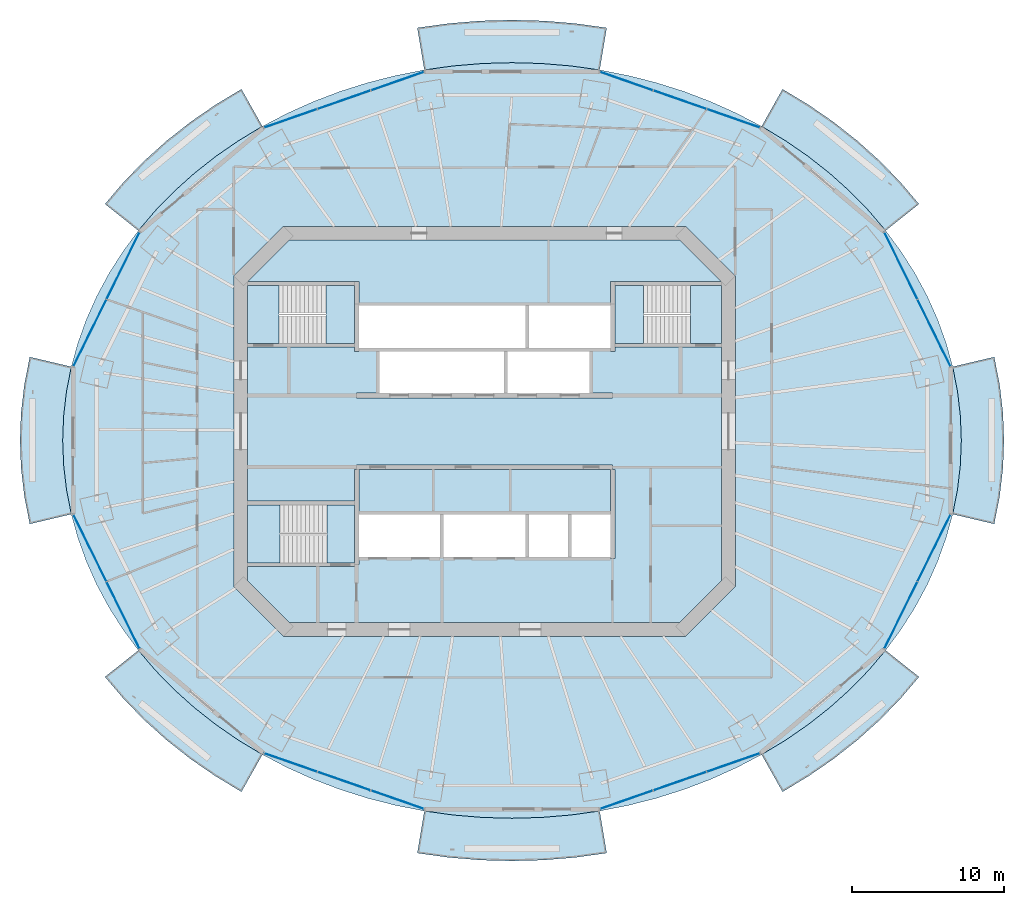
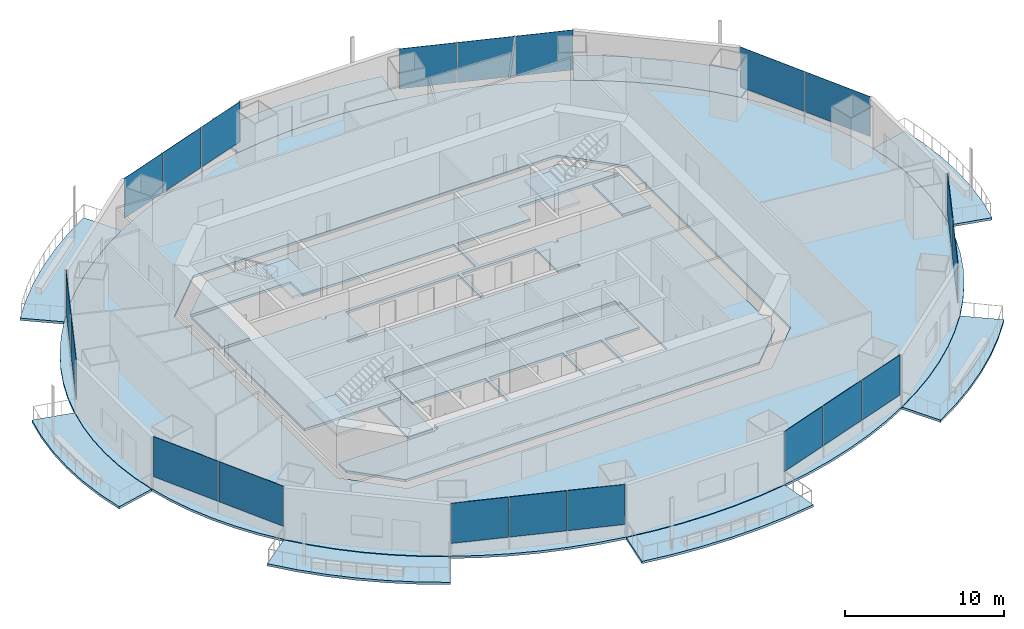
# One storey, part 9 of 18: 20 plates, 16 slabs, 11 elements without a shape of their own.
"""IFC4 building model written with IfcOpenShell, lengths in metres."""

from ifc_helpers import new_model, si_unit, direction, frame, origin, origin_2d, place, context, subcontext, project, spatial, polyline, rectangle, outline, extrude, material, layer, layer_set, type_object, element, aggregate, save


model = new_model("IFC4")

# Units and contexts
model_context = context("Model", 3, precision=1e-05, world=origin(), true_north=direction((0.0, 1.0)))
body_context = subcontext(model_context, "Body", "Model", "MODEL_VIEW")
ifc_project = project(units=[si_unit("LENGTHUNIT", "METRE"), si_unit("AREAUNIT", "SQUARE_METRE"), si_unit("VOLUMEUNIT", "CUBIC_METRE"), si_unit("PLANEANGLEUNIT", "RADIAN"), si_unit("MASSUNIT", "GRAM", prefix="KILO")], contexts=[model_context])

# Site, building, storey
site_placement = place(None, origin())
site = spatial("IfcSite", under=ifc_project, at=site_placement, CompositionType="ELEMENT")
building_placement = place(site_placement, origin())
building = spatial("IfcBuilding", under=site, at=building_placement, Name="Marenthal Gate Tower", CompositionType="ELEMENT")
storey_placement = place(building_placement, frame((0.0, 0.0, 264.800048828125)))
storey = spatial("IfcBuildingStorey", under=building, at=storey_placement, Name="L59", CompositionType="ELEMENT", Elevation=264.800048828125)

# Slabs
ifc_material_1 = material(Name="Concrete 40 MPa", Category="concrete")
ifc_layer_1 = layer(ifc_material_1, 0.179931640625)
ifc_layer_set_1 = layer_set([ifc_layer_1], Name="Balcony deck 180")
slab_type_1 = type_object("IfcSlabType", Name="Balcony deck 180", PredefinedType="USERDEFINED", material=ifc_layer_set_1)
slab_1_placement = place(storey_placement, frame((0.0, 0.0, -0.219970703125)))
element("IfcSlab", 1, at=slab_1_placement, inside=storey, type_object=slab_type_1, Name="Balcony deck L59 bay 2", ObjectType="BALCONY", PredefinedType="USERDEFINED", context=body_context, shape_type="SweptSolid", body=[
    extrude(outline(polyline([(26.3125, 13.17138671875), (25.188720703125, 14.489990234375), (23.965087890625, 15.743896484375), (22.646240234375, 16.927734375), (21.23828125, 18.03662109375), (19.746826171875, 19.065673828125), (18.1787109375, 20.010498046875), (19.55029296875, 22.45166015625), (21.264892578125, 21.41845703125), (22.89990234375, 20.290283203125), (24.4482421875, 19.07080078125), (25.90283203125, 17.76513671875), (27.257080078125, 16.37744140625), (28.504638671875, 14.91357421875), (26.3125, 13.17138671875)])), origin(), (0.0, 0.0, 1.0), 0.179931640625),
])
slab_2_placement = place(storey_placement, frame((0.0, 0.0, -0.219970703125)))
element("IfcSlab", 2, at=slab_2_placement, inside=storey, type_object=slab_type_1, Name="Balcony deck L59 bay 4", ObjectType="BALCONY", PredefinedType="USERDEFINED", context=body_context, shape_type="SweptSolid", body=[
    extrude(outline(polyline([(7.551513671875, 23.711669921875), (5.64794921875, 23.975830078125), (3.72802734375, 24.135009765625), (1.800048828125, 24.18798828125), (-0.128173828125, 24.135009765625), (-2.048095703125, 23.975830078125), (-3.951416015625, 23.711669921875), (-4.413330078125, 26.473388671875), (-2.35595703125, 26.7587890625), (-0.2822265625, 26.9306640625), (1.800048828125, 26.988037109375), (3.882080078125, 26.9306640625), (5.9560546875, 26.7587890625), (8.013427734375, 26.473388671875), (7.551513671875, 23.711669921875)])), origin(), (0.0, 0.0, 1.0), 0.179931640625),
])
slab_3_placement = place(storey_placement, frame((0.0, 0.0, -0.219970703125)))
element("IfcSlab", 3, at=slab_3_placement, inside=storey, type_object=slab_type_1, Name="Balcony deck L59 bay 6", ObjectType="BALCONY", PredefinedType="USERDEFINED", context=body_context, shape_type="SweptSolid", body=[
    extrude(outline(polyline([(-14.578857421875, 20.010498046875), (-16.14697265625, 19.065673828125), (-17.63818359375, 18.03662109375), (-19.046142578125, 16.927734375), (-20.364990234375, 15.743896484375), (-21.5888671875, 14.489990234375), (-22.712646484375, 13.17138671875), (-24.90478515625, 14.91357421875), (-23.656982421875, 16.37744140625), (-22.302734375, 17.76513671875), (-20.84814453125, 19.07080078125), (-19.300048828125, 20.290283203125), (-17.664794921875, 21.41845703125), (-15.9501953125, 22.45166015625), (-14.578857421875, 20.010498046875)])), origin(), (0.0, 0.0, 1.0), 0.179931640625),
])
slab_4_placement = place(storey_placement, frame((0.0, 0.0, -0.219970703125)))
element("IfcSlab", 4, at=slab_4_placement, inside=storey, type_object=slab_type_1, Name="Balcony deck L59 bay 8", ObjectType="BALCONY", PredefinedType="USERDEFINED", context=body_context, shape_type="SweptSolid", body=[
    extrude(outline(polyline([(-27.114501953125, 4.23583984375), (-27.4287109375, 2.635498046875), (-27.617919921875, 1.021240234375), (-27.680908203125, -0.60009765625), (-27.617919921875, -2.22119140625), (-27.4287109375, -3.83544921875), (-27.114501953125, -5.435791015625), (-29.83935546875, -6.08056640625), (-30.195068359375, -4.2685546875), (-30.409423828125, -2.438720703125), (-30.48095703125, -0.60009765625), (-30.409423828125, 1.23876953125), (-30.195068359375, 3.068603515625), (-29.83935546875, 4.880615234375), (-27.114501953125, 4.23583984375)])), origin(), (0.0, 0.0, 1.0), 0.179931640625),
])
slab_5_placement = place(storey_placement, frame((0.0, 0.0, -0.219970703125)))
element("IfcSlab", 5, at=slab_5_placement, inside=storey, type_object=slab_type_1, Name="Balcony deck L59 bay 10", ObjectType="BALCONY", PredefinedType="USERDEFINED", context=body_context, shape_type="SweptSolid", body=[
    extrude(outline(polyline([(-22.712646484375, -14.37158203125), (-21.5888671875, -15.68994140625), (-20.364990234375, -16.94384765625), (-19.046142578125, -18.127685546875), (-17.63818359375, -19.236572265625), (-16.14697265625, -20.265625), (-14.578857421875, -21.21044921875), (-15.9501953125, -23.651611328125), (-17.664794921875, -22.618408203125), (-19.300048828125, -21.490234375), (-20.84814453125, -20.27099609375), (-22.302734375, -18.965087890625), (-23.656982421875, -17.577392578125), (-24.90478515625, -16.113525390625), (-22.712646484375, -14.37158203125)])), origin(), (0.0, 0.0, 1.0), 0.179931640625),
])
slab_6_placement = place(storey_placement, frame((0.0, 0.0, -0.219970703125)))
element("IfcSlab", 6, at=slab_6_placement, inside=storey, type_object=slab_type_1, Name="Balcony deck L59 bay 12", ObjectType="BALCONY", PredefinedType="USERDEFINED", context=body_context, shape_type="SweptSolid", body=[
    extrude(outline(polyline([(-3.951416015625, -24.91162109375), (-2.048095703125, -25.17578125), (-0.128173828125, -25.3349609375), (1.800048828125, -25.387939453125), (3.72802734375, -25.3349609375), (5.64794921875, -25.17578125), (7.551513671875, -24.91162109375), (8.013427734375, -27.67333984375), (5.9560546875, -27.958984375), (3.882080078125, -28.130615234375), (1.800048828125, -28.18798828125), (-0.2822265625, -28.130615234375), (-2.35595703125, -27.958984375), (-4.413330078125, -27.67333984375), (-3.951416015625, -24.91162109375)])), origin(), (0.0, 0.0, 1.0), 0.179931640625),
])
slab_7_placement = place(storey_placement, frame((0.0, 0.0, -0.219970703125)))
element("IfcSlab", 7, at=slab_7_placement, inside=storey, type_object=slab_type_1, Name="Balcony deck L59 bay 14", ObjectType="BALCONY", PredefinedType="USERDEFINED", context=body_context, shape_type="SweptSolid", body=[
    extrude(outline(polyline([(18.1787109375, -21.21044921875), (19.746826171875, -20.265625), (21.23828125, -19.236572265625), (22.646240234375, -18.127685546875), (23.965087890625, -16.94384765625), (25.188720703125, -15.68994140625), (26.3125, -14.37158203125), (28.504638671875, -16.113525390625), (27.257080078125, -17.577392578125), (25.90283203125, -18.965087890625), (24.4482421875, -20.27099609375), (22.89990234375, -21.490234375), (21.264892578125, -22.618408203125), (19.55029296875, -23.651611328125), (18.1787109375, -21.21044921875)])), origin(), (0.0, 0.0, 1.0), 0.179931640625),
])
slab_8_placement = place(storey_placement, frame((0.0, 0.0, -0.219970703125)))
element("IfcSlab", 8, at=slab_8_placement, inside=storey, type_object=slab_type_1, Name="Balcony deck L59 bay 16", ObjectType="BALCONY", PredefinedType="USERDEFINED", context=body_context, shape_type="SweptSolid", body=[
    extrude(outline(polyline([(30.714599609375, -5.435791015625), (31.02880859375, -3.83544921875), (31.218017578125, -2.22119140625), (31.281005859375, -0.60009765625), (31.218017578125, 1.021240234375), (31.02880859375, 2.635498046875), (30.714599609375, 4.23583984375), (33.439208984375, 4.880615234375), (33.795166015625, 3.068603515625), (34.009521484375, 1.23876953125), (34.0810546875, -0.60009765625), (34.009521484375, -2.438720703125), (33.795166015625, -4.2685546875), (33.439208984375, -6.08056640625), (30.714599609375, -5.435791015625)])), origin(), (0.0, 0.0, 1.0), 0.179931640625),
])
ifc_material_2 = material(Name="Concrete 50 MPa", Category="concrete")
ifc_layer_2 = layer(ifc_material_2, 0.179931640625)
ifc_layer_set_2 = layer_set([ifc_layer_2], Name="Core floor slab 180")
slab_type_2 = type_object("IfcSlabType", Name="Core floor slab 180", PredefinedType="FLOOR", material=ifc_layer_set_2)
slab_9_placement = place(storey_placement, frame((0.0, 0.0, -0.179931640625)))
element("IfcSlab", 9, at=slab_9_placement, inside=storey, type_object=slab_type_2, Name="Core floor L59", PredefinedType="FLOOR", context=body_context, shape_type="SweptSolid", body=[
    extrude(outline(polyline([(12.813720703125, -12.550048828125), (-12.813720703125, -12.550048828125), (-15.550048828125, -9.813720703125), (-15.550048828125, -8.875), (-8.550048828125, -8.875), (-8.550048828125, -8.75), (-8.25, -8.75), (-8.25, -8.239990234375), (-5.60009765625, -8.239990234375), (-2.909912109375, -8.239990234375), (-2.909912109375, -5.4599609375), (-5.60009765625, -5.4599609375), (-8.25, -5.4599609375), (-8.25, -2.5), (8.25, -2.5), (8.25, -5.4599609375), (5.7099609375, -5.4599609375), (5.7099609375, -8.239990234375), (8.25, -8.239990234375), (8.25, -8.35009765625), (8.550048828125, -8.35009765625), (8.550048828125, -2.5), (8.39990234375, -2.5), (8.39990234375, -2.199951171875), (-8.39990234375, -2.199951171875), (-8.39990234375, -2.5), (-8.550048828125, -2.5), (-8.550048828125, -4.574951171875), (-15.550048828125, -4.574951171875), (-15.550048828125, 5.52490234375), (-8.550048828125, 5.52490234375), (-8.550048828125, 5.239990234375), (-8.25, 5.239990234375), (-8.25, 5.4599609375), (-5.60009765625, 5.4599609375), (-2.800048828125, 5.4599609375), (0.0, 5.4599609375), (2.68994140625, 5.4599609375), (2.68994140625, 8.239990234375), (0.0, 8.239990234375), (-2.800048828125, 8.239990234375), (-5.60009765625, 8.239990234375), (-8.25, 8.239990234375), (-8.25, 8.35009765625), (-8.25, 9.824951171875), (-8.550048828125, 9.824951171875), (-15.53857421875, 9.824951171875), (-12.813720703125, 12.550048828125), (12.813720703125, 12.550048828125), (15.53857421875, 9.824951171875), (8.550048828125, 9.824951171875), (8.25, 9.824951171875), (8.25, 8.35009765625), (8.25, 8.239990234375), (5.60009765625, 8.239990234375), (2.909912109375, 8.239990234375), (2.909912109375, 5.4599609375), (5.60009765625, 5.4599609375), (8.25, 5.4599609375), (8.25, 5.239990234375), (8.550048828125, 5.239990234375), (8.550048828125, 5.52490234375), (15.550048828125, 5.52490234375), (15.550048828125, -9.813720703125), (12.813720703125, -12.550048828125)]), holes=[polyline([(2.68994140625, -8.239990234375), (2.68994140625, -5.4599609375), (0.0, -5.4599609375), (-2.68994140625, -5.4599609375), (-2.68994140625, -8.239990234375), (0.0, -8.239990234375), (2.68994140625, -8.239990234375)]), polyline([(-6.889892578125, 5.239990234375), (-6.889892578125, 2.5), (-8.39990234375, 2.5), (-8.39990234375, 2.199951171875), (8.39990234375, 2.199951171875), (8.39990234375, 2.5), (6.889892578125, 2.5), (6.889892578125, 5.239990234375), (4.199951171875, 5.239990234375), (1.510009765625, 5.239990234375), (1.510009765625, 2.5), (1.2900390625, 2.5), (1.2900390625, 5.239990234375), (-1.39990234375, 5.239990234375), (-4.199951171875, 5.239990234375), (-6.889892578125, 5.239990234375)]), polyline([(5.489990234375, -5.4599609375), (2.909912109375, -5.4599609375), (2.909912109375, -8.239990234375), (5.489990234375, -8.239990234375), (5.489990234375, -5.4599609375)])]), origin(), (0.0, 0.0, 1.0), 0.179931640625),
])
slab_10_placement = place(storey_placement, frame((0.0, 0.0, -0.179931640625)))
element("IfcSlab", 10, at=slab_10_placement, inside=storey, type_object=slab_type_2, Name="Core floor L59", PredefinedType="FLOOR", context=body_context, shape_type="SweptSolid", body=[
    extrude(outline(polyline([(15.550048828125, 5.77490234375), (13.5, 5.77490234375), (13.5, 9.574951171875), (15.550048828125, 9.574951171875), (15.550048828125, 5.77490234375)])), origin(), (0.0, 0.0, 1.0), 0.179931640625),
])
slab_11_placement = place(storey_placement, frame((0.0, 0.0, -0.179931640625)))
element("IfcSlab", 11, at=slab_11_placement, inside=storey, type_object=slab_type_2, Name="Core floor L59", PredefinedType="FLOOR", context=body_context, shape_type="SweptSolid", body=[
    extrude(outline(polyline([(-15.550048828125, 9.574951171875), (-13.5, 9.574951171875), (-13.5, 5.77490234375), (-15.550048828125, 5.77490234375), (-15.550048828125, 9.574951171875)])), origin(), (0.0, 0.0, 1.0), 0.179931640625),
])
slab_12_placement = place(storey_placement, frame((0.0, 0.0, -0.179931640625)))
element("IfcSlab", 12, at=slab_12_placement, inside=storey, type_object=slab_type_2, Name="Core floor L59", PredefinedType="FLOOR", context=body_context, shape_type="SweptSolid", body=[
    extrude(outline(polyline([(-8.550048828125, -8.625), (-10.35009765625, -8.625), (-10.35009765625, -4.824951171875), (-8.550048828125, -4.824951171875), (-8.550048828125, -8.625)])), origin(), (0.0, 0.0, 1.0), 0.179931640625),
])
ifc_material_3 = material(Name="Concrete 35 MPa", Category="concrete")
ifc_layer_3 = layer(ifc_material_3, 0.179931640625)
ifc_layer_set_3 = layer_set([ifc_layer_3], Name="Floor slab 180")
slab_type_3 = type_object("IfcSlabType", Name="Floor slab 180", PredefinedType="FLOOR", material=ifc_layer_set_3)
slab_13_placement = place(storey_placement, frame((0.0, 0.0, -0.179931640625)))
element("IfcSlab", 13, at=slab_13_placement, inside=storey, type_object=slab_type_3, Name="SL-L59-01", PredefinedType="FLOOR", context=body_context, shape_type="SweptSolid", body=[
    extrude(outline(polyline([(31.281005859375, -0.60009765625), (31.218017578125, 1.021240234375), (31.02880859375, 2.635498046875), (30.714599609375, 4.23583984375), (30.276611328125, 5.815673828125), (29.71630859375, 7.367919921875), (29.036865234375, 8.885986328125), (28.24072265625, 10.363525390625), (27.331298828125, 11.7939453125), (26.3125, 13.17138671875), (25.188720703125, 14.489990234375), (23.965087890625, 15.743896484375), (22.646240234375, 16.927734375), (21.23828125, 18.03662109375), (19.746826171875, 19.065673828125), (18.1787109375, 20.010498046875), (16.54052734375, 20.866943359375), (14.839111328125, 21.631591796875), (13.081787109375, 22.301025390625), (11.2763671875, 22.87255859375), (9.43017578125, 23.343505859375), (7.551513671875, 23.711669921875), (5.64794921875, 23.975830078125), (3.72802734375, 24.135009765625), (1.800048828125, 24.18798828125), (-0.128173828125, 24.135009765625), (-2.048095703125, 23.975830078125), (-3.951416015625, 23.711669921875), (-5.830078125, 23.343505859375), (-7.676513671875, 22.87255859375), (-9.48193359375, 22.301025390625), (-11.239013671875, 21.631591796875), (-12.9404296875, 20.866943359375), (-14.578857421875, 20.010498046875), (-16.14697265625, 19.065673828125), (-17.63818359375, 18.03662109375), (-19.046142578125, 16.927734375), (-20.364990234375, 15.743896484375), (-21.5888671875, 14.489990234375), (-22.712646484375, 13.17138671875), (-23.731201171875, 11.7939453125), (-24.640625, 10.363525390625), (-25.43701171875, 8.885986328125), (-26.116455078125, 7.367919921875), (-26.676513671875, 5.815673828125), (-27.114501953125, 4.23583984375), (-27.4287109375, 2.635498046875), (-27.617919921875, 1.021240234375), (-27.680908203125, -0.60009765625), (-27.617919921875, -2.22119140625), (-27.4287109375, -3.83544921875), (-27.114501953125, -5.435791015625), (-26.676513671875, -7.015625), (-26.116455078125, -8.56787109375), (-25.43701171875, -10.0859375), (-24.640625, -11.5634765625), (-23.731201171875, -12.993896484375), (-22.712646484375, -14.37158203125), (-21.5888671875, -15.68994140625), (-20.364990234375, -16.94384765625), (-19.046142578125, -18.127685546875), (-17.63818359375, -19.236572265625), (-16.14697265625, -20.265625), (-14.578857421875, -21.21044921875), (-12.9404296875, -22.06689453125), (-11.239013671875, -22.831787109375), (-9.48193359375, -23.501220703125), (-7.676513671875, -24.072509765625), (-5.830078125, -24.54345703125), (-3.951416015625, -24.91162109375), (-2.048095703125, -25.17578125), (-0.128173828125, -25.3349609375), (1.800048828125, -25.387939453125), (3.72802734375, -25.3349609375), (5.64794921875, -25.17578125), (7.551513671875, -24.91162109375), (9.43017578125, -24.54345703125), (11.2763671875, -24.072509765625), (13.081787109375, -23.501220703125), (14.839111328125, -22.831787109375), (16.54052734375, -22.06689453125), (18.1787109375, -21.21044921875), (19.746826171875, -20.265625), (21.23828125, -19.236572265625), (22.646240234375, -18.127685546875), (23.965087890625, -16.94384765625), (25.188720703125, -15.68994140625), (26.3125, -14.37158203125), (27.331298828125, -12.993896484375), (28.24072265625, -11.5634765625), (29.036865234375, -10.0859375), (29.71630859375, -8.56787109375), (30.276611328125, -7.015625), (30.714599609375, -5.435791015625), (31.02880859375, -3.83544921875), (31.218017578125, -2.22119140625), (31.281005859375, -0.60009765625)]), holes=[polyline([(13.186279296875, -13.449951171875), (16.449951171875, -10.186279296875), (16.449951171875, 10.186279296875), (13.186279296875, 13.449951171875), (-13.186279296875, 13.449951171875), (-16.449951171875, 10.186279296875), (-16.449951171875, -10.186279296875), (-13.186279296875, -13.449951171875), (13.186279296875, -13.449951171875)])]), origin(), (0.0, 0.0, 1.0), 0.179931640625),
])

# Curtain wall, plates
ifc_material_4 = material(Name="Aluminium and glass", Category="aluminium")
curtain_wall_type = type_object("IfcCurtainWallType", Name="Curtain wall typical mid", PredefinedType="NOTDEFINED", material=ifc_material_4)
curtain_wall_1_placement = place(storey_placement, origin())
curtain_wall_1 = element("IfcCurtainWall", 14, at=curtain_wall_1_placement, inside=storey, type_object=curtain_wall_type, Name="Curtain wall L59 bay 1", PredefinedType="NOTDEFINED")
ifc_material_5 = material(Name="Glass, laminated insulating unit", Category="glass")
ifc_layer_4 = layer(ifc_material_5, 0.030029296875)
ifc_layer_set_4 = layer_set([ifc_layer_4], Name="Glass panel 30 typical mid")
plate_type = type_object("IfcPlateType", Name="Glass panel 30 typical mid", PredefinedType="CURTAIN_PANEL", material=ifc_layer_set_4)
plate_1_placement = place(storey_placement, frame((29.494140625, 6.448974609375, 0.89990234375), z_axis=(0.0, 0.0, 1.0), x_axis=(-0.442191564697, 0.896920632002, 0.0)))
plate_1 = element("IfcPlate", 15, at=plate_1_placement, type_object=plate_type, Name="Glass panel L59 bay 1.1", PredefinedType="CURTAIN_PANEL", context=body_context, shape_type="SweptSolid", body=[
    extrude(rectangle(XDim=4.8671875, YDim=0.030029296875, at=origin_2d()), origin(), (0.0, 0.0, 1.0), 3.070068359375),
])
plate_2_placement = place(storey_placement, frame((27.3154296875, 10.8681640625, 0.89990234375), z_axis=(0.0, 0.0, 1.0), x_axis=(-0.442191564697, 0.896920632002, 0.0)))
plate_2 = element("IfcPlate", 16, at=plate_2_placement, type_object=plate_type, Name="Glass panel L59 bay 1.2", PredefinedType="CURTAIN_PANEL", context=body_context, shape_type="SweptSolid", body=[
    extrude(rectangle(XDim=4.8671875, YDim=0.030029296875, at=origin_2d()), origin(), (0.0, 0.0, 1.0), 3.070068359375),
])
aggregate(curtain_wall_1, [plate_1, plate_2])

curtain_wall_2_placement = place(storey_placement, origin())
curtain_wall_2 = element("IfcCurtainWall", 17, at=curtain_wall_2_placement, inside=storey, type_object=curtain_wall_type, Name="Curtain wall L59 bay 3", PredefinedType="NOTDEFINED")
plate_3_placement = place(storey_placement, frame((16.3291015625, 20.53125, 0.89990234375), z_axis=(0.0, 0.0, 1.0), x_axis=(-0.944444900709, 0.328669787971, 0.0)))
plate_3 = element("IfcPlate", 18, at=plate_3_placement, type_object=plate_type, Name="Glass panel L59 bay 3.1", PredefinedType="CURTAIN_PANEL", context=body_context, shape_type="SweptSolid", body=[
    extrude(rectangle(XDim=3.655517578125, YDim=0.030029296875, at=origin_2d()), origin(), (0.0, 0.0, 1.0), 3.070068359375),
])
plate_4_placement = place(storey_placement, frame((12.820068359375, 21.75244140625, 0.89990234375), z_axis=(0.0, 0.0, 1.0), x_axis=(-0.944444900709, 0.328669787971, 0.0)))
plate_4 = element("IfcPlate", 19, at=plate_4_placement, type_object=plate_type, Name="Glass panel L59 bay 3.2", PredefinedType="CURTAIN_PANEL", context=body_context, shape_type="SweptSolid", body=[
    extrude(rectangle(XDim=3.655517578125, YDim=0.030029296875, at=origin_2d()), origin(), (0.0, 0.0, 1.0), 3.070068359375),
])
plate_5_placement = place(storey_placement, frame((9.310791015625, 22.9736328125, 0.89990234375), z_axis=(0.0, 0.0, 1.0), x_axis=(-0.944444900709, 0.328669787971, 0.0)))
plate_5 = element("IfcPlate", 20, at=plate_5_placement, type_object=plate_type, Name="Glass panel L59 bay 3.3", PredefinedType="CURTAIN_PANEL", context=body_context, shape_type="SweptSolid", body=[
    extrude(rectangle(XDim=3.655517578125, YDim=0.030029296875, at=origin_2d()), origin(), (0.0, 0.0, 1.0), 3.070068359375),
])
aggregate(curtain_wall_2, [plate_3, plate_4, plate_5])

curtain_wall_3_placement = place(storey_placement, origin())
curtain_wall_3 = element("IfcCurtainWall", 21, at=curtain_wall_3_placement, inside=storey, type_object=curtain_wall_type, Name="Curtain wall L59 bay 5", PredefinedType="NOTDEFINED")
plate_6_placement = place(storey_placement, frame((-5.7109375, 22.9736328125, 0.89990234375), z_axis=(0.0, 0.0, 1.0), x_axis=(-0.944444900709, -0.328669787971, 0.0)))
plate_6 = element("IfcPlate", 22, at=plate_6_placement, type_object=plate_type, Name="Glass panel L59 bay 5.1", PredefinedType="CURTAIN_PANEL", context=body_context, shape_type="SweptSolid", body=[
    extrude(rectangle(XDim=3.655517578125, YDim=0.030029296875, at=origin_2d()), origin(), (0.0, 0.0, 1.0), 3.070068359375),
])
plate_7_placement = place(storey_placement, frame((-9.219970703125, 21.75244140625, 0.89990234375), z_axis=(0.0, 0.0, 1.0), x_axis=(-0.944444900709, -0.328669787971, 0.0)))
plate_7 = element("IfcPlate", 23, at=plate_7_placement, type_object=plate_type, Name="Glass panel L59 bay 5.2", PredefinedType="CURTAIN_PANEL", context=body_context, shape_type="SweptSolid", body=[
    extrude(rectangle(XDim=3.655517578125, YDim=0.030029296875, at=origin_2d()), origin(), (0.0, 0.0, 1.0), 3.070068359375),
])
plate_8_placement = place(storey_placement, frame((-12.729248046875, 20.53125, 0.89990234375), z_axis=(0.0, 0.0, 1.0), x_axis=(-0.944444900709, -0.328669787971, 0.0)))
plate_8 = element("IfcPlate", 24, at=plate_8_placement, type_object=plate_type, Name="Glass panel L59 bay 5.3", PredefinedType="CURTAIN_PANEL", context=body_context, shape_type="SweptSolid", body=[
    extrude(rectangle(XDim=3.655517578125, YDim=0.030029296875, at=origin_2d()), origin(), (0.0, 0.0, 1.0), 3.070068359375),
])
aggregate(curtain_wall_3, [plate_6, plate_7, plate_8])

curtain_wall_4_placement = place(storey_placement, origin())
curtain_wall_4 = element("IfcCurtainWall", 25, at=curtain_wall_4_placement, inside=storey, type_object=curtain_wall_type, Name="Curtain wall L59 bay 7", PredefinedType="NOTDEFINED")
plate_9_placement = place(storey_placement, frame((-23.71533203125, 10.8681640625, 0.89990234375), z_axis=(0.0, 0.0, 1.0), x_axis=(-0.442191564697, -0.896920632002, 0.0)))
plate_9 = element("IfcPlate", 26, at=plate_9_placement, type_object=plate_type, Name="Glass panel L59 bay 7.1", PredefinedType="CURTAIN_PANEL", context=body_context, shape_type="SweptSolid", body=[
    extrude(rectangle(XDim=4.8671875, YDim=0.030029296875, at=origin_2d()), origin(), (0.0, 0.0, 1.0), 3.070068359375),
])
plate_10_placement = place(storey_placement, frame((-25.894287109375, 6.448974609375, 0.89990234375), z_axis=(0.0, 0.0, 1.0), x_axis=(-0.442191564697, -0.896920632002, 0.0)))
plate_10 = element("IfcPlate", 27, at=plate_10_placement, type_object=plate_type, Name="Glass panel L59 bay 7.2", PredefinedType="CURTAIN_PANEL", context=body_context, shape_type="SweptSolid", body=[
    extrude(rectangle(XDim=4.8671875, YDim=0.030029296875, at=origin_2d()), origin(), (0.0, 0.0, 1.0), 3.070068359375),
])
aggregate(curtain_wall_4, [plate_9, plate_10])

curtain_wall_5_placement = place(storey_placement, origin())
curtain_wall_5 = element("IfcCurtainWall", 28, at=curtain_wall_5_placement, inside=storey, type_object=curtain_wall_type, Name="Curtain wall L59 bay 9", PredefinedType="NOTDEFINED")
plate_11_placement = place(storey_placement, frame((-25.894287109375, -7.64892578125, 0.89990234375), z_axis=(0.0, 0.0, 1.0), x_axis=(0.442191564697, -0.896920632002, 0.0)))
plate_11 = element("IfcPlate", 29, at=plate_11_placement, type_object=plate_type, Name="Glass panel L59 bay 9.1", PredefinedType="CURTAIN_PANEL", context=body_context, shape_type="SweptSolid", body=[
    extrude(rectangle(XDim=4.8671875, YDim=0.030029296875, at=origin_2d()), origin(), (0.0, 0.0, 1.0), 3.070068359375),
])
plate_12_placement = place(storey_placement, frame((-23.71533203125, -12.068359375, 0.89990234375), z_axis=(0.0, 0.0, 1.0), x_axis=(0.442191564697, -0.896920632002, 0.0)))
plate_12 = element("IfcPlate", 30, at=plate_12_placement, type_object=plate_type, Name="Glass panel L59 bay 9.2", PredefinedType="CURTAIN_PANEL", context=body_context, shape_type="SweptSolid", body=[
    extrude(rectangle(XDim=4.8671875, YDim=0.030029296875, at=origin_2d()), origin(), (0.0, 0.0, 1.0), 3.070068359375),
])
aggregate(curtain_wall_5, [plate_11, plate_12])

curtain_wall_6_placement = place(storey_placement, origin())
curtain_wall_6 = element("IfcCurtainWall", 31, at=curtain_wall_6_placement, inside=storey, type_object=curtain_wall_type, Name="Curtain wall L59 bay 11", PredefinedType="NOTDEFINED")
plate_13_placement = place(storey_placement, frame((-12.729248046875, -21.731201171875, 0.89990234375), z_axis=(0.0, 0.0, 1.0), x_axis=(0.944444900709, -0.328669787971, 0.0)))
plate_13 = element("IfcPlate", 32, at=plate_13_placement, type_object=plate_type, Name="Glass panel L59 bay 11.1", PredefinedType="CURTAIN_PANEL", context=body_context, shape_type="SweptSolid", body=[
    extrude(rectangle(XDim=3.655517578125, YDim=0.030029296875, at=origin_2d()), origin(), (0.0, 0.0, 1.0), 3.070068359375),
])
plate_14_placement = place(storey_placement, frame((-9.219970703125, -22.952392578125, 0.89990234375), z_axis=(0.0, 0.0, 1.0), x_axis=(0.944444900709, -0.328669787971, 0.0)))
plate_14 = element("IfcPlate", 33, at=plate_14_placement, type_object=plate_type, Name="Glass panel L59 bay 11.2", PredefinedType="CURTAIN_PANEL", context=body_context, shape_type="SweptSolid", body=[
    extrude(rectangle(XDim=3.655517578125, YDim=0.030029296875, at=origin_2d()), origin(), (0.0, 0.0, 1.0), 3.070068359375),
])
plate_15_placement = place(storey_placement, frame((-5.7109375, -24.173583984375, 0.89990234375), z_axis=(0.0, 0.0, 1.0), x_axis=(0.944444900709, -0.328669787971, 0.0)))
plate_15 = element("IfcPlate", 34, at=plate_15_placement, type_object=plate_type, Name="Glass panel L59 bay 11.3", PredefinedType="CURTAIN_PANEL", context=body_context, shape_type="SweptSolid", body=[
    extrude(rectangle(XDim=3.655517578125, YDim=0.030029296875, at=origin_2d()), origin(), (0.0, 0.0, 1.0), 3.070068359375),
])
aggregate(curtain_wall_6, [plate_13, plate_14, plate_15])

curtain_wall_7_placement = place(storey_placement, origin())
curtain_wall_7 = element("IfcCurtainWall", 35, at=curtain_wall_7_placement, inside=storey, type_object=curtain_wall_type, Name="Curtain wall L59 bay 13", PredefinedType="NOTDEFINED")
plate_16_placement = place(storey_placement, frame((9.31103515625, -24.173583984375, 0.89990234375), z_axis=(0.0, 0.0, 1.0), x_axis=(0.944444900709, 0.328669787971, 0.0)))
plate_16 = element("IfcPlate", 36, at=plate_16_placement, type_object=plate_type, Name="Glass panel L59 bay 13.1", PredefinedType="CURTAIN_PANEL", context=body_context, shape_type="SweptSolid", body=[
    extrude(rectangle(XDim=3.655517578125, YDim=0.030029296875, at=origin_2d()), origin(), (0.0, 0.0, 1.0), 3.070068359375),
])
plate_17_placement = place(storey_placement, frame((12.820068359375, -22.952392578125, 0.89990234375), z_axis=(0.0, 0.0, 1.0), x_axis=(0.944444900709, 0.328669787971, 0.0)))
plate_17 = element("IfcPlate", 37, at=plate_17_placement, type_object=plate_type, Name="Glass panel L59 bay 13.2", PredefinedType="CURTAIN_PANEL", context=body_context, shape_type="SweptSolid", body=[
    extrude(rectangle(XDim=3.655517578125, YDim=0.030029296875, at=origin_2d()), origin(), (0.0, 0.0, 1.0), 3.070068359375),
])
plate_18_placement = place(storey_placement, frame((16.3291015625, -21.731201171875, 0.89990234375), z_axis=(0.0, 0.0, 1.0), x_axis=(0.944444900709, 0.328669787971, 0.0)))
plate_18 = element("IfcPlate", 38, at=plate_18_placement, type_object=plate_type, Name="Glass panel L59 bay 13.3", PredefinedType="CURTAIN_PANEL", context=body_context, shape_type="SweptSolid", body=[
    extrude(rectangle(XDim=3.655517578125, YDim=0.030029296875, at=origin_2d()), origin(), (0.0, 0.0, 1.0), 3.070068359375),
])
aggregate(curtain_wall_7, [plate_16, plate_17, plate_18])

curtain_wall_8_placement = place(storey_placement, origin())
curtain_wall_8 = element("IfcCurtainWall", 39, at=curtain_wall_8_placement, inside=storey, type_object=curtain_wall_type, Name="Curtain wall L59 bay 15", PredefinedType="NOTDEFINED")
plate_19_placement = place(storey_placement, frame((27.3154296875, -12.068359375, 0.89990234375), z_axis=(0.0, 0.0, 1.0), x_axis=(0.442191564697, 0.896920632002, 0.0)))
plate_19 = element("IfcPlate", 40, at=plate_19_placement, type_object=plate_type, Name="Glass panel L59 bay 15.1", PredefinedType="CURTAIN_PANEL", context=body_context, shape_type="SweptSolid", body=[
    extrude(rectangle(XDim=4.8671875, YDim=0.030029296875, at=origin_2d()), origin(), (0.0, 0.0, 1.0), 3.070068359375),
])
plate_20_placement = place(storey_placement, frame((29.494140625, -7.64892578125, 0.89990234375), z_axis=(0.0, 0.0, 1.0), x_axis=(0.442191564697, 0.896920632002, 0.0)))
plate_20 = element("IfcPlate", 41, at=plate_20_placement, type_object=plate_type, Name="Glass panel L59 bay 15.2", PredefinedType="CURTAIN_PANEL", context=body_context, shape_type="SweptSolid", body=[
    extrude(rectangle(XDim=4.8671875, YDim=0.030029296875, at=origin_2d()), origin(), (0.0, 0.0, 1.0), 3.070068359375),
])
aggregate(curtain_wall_8, [plate_19, plate_20])

# Stair, slab
ifc_material_6 = material(Name="Concrete 40 MPa", Category="concrete")
stair_type = type_object("IfcStairType", Name="Exit stair 1800", PredefinedType="HALF_TURN_STAIR", material=ifc_material_6)
stair_1_placement = place(storey_placement, origin())
stair_1 = element("IfcStair", 42, at=stair_1_placement, inside=storey, type_object=stair_type, Name="Stair ST1", PredefinedType="HALF_TURN_STAIR")
ifc_material_7 = material(Name="Concrete 40 MPa", Category="concrete")
ifc_layer_5 = layer(ifc_material_7, 0.199951171875)
ifc_layer_set_5 = layer_set([ifc_layer_5], Name="Stair landing 200")
slab_type_4 = type_object("IfcSlabType", Name="Stair landing 200", PredefinedType="LANDING", material=ifc_layer_set_5)
slab_14_placement = place(storey_placement, frame((0.0, 0.0, 1.875)))
slab_14 = element("IfcSlab", 43, at=slab_14_placement, type_object=slab_type_4, Name="ST1 landing 1", PredefinedType="LANDING", context=body_context, shape_type="SweptSolid", body=[
    extrude(outline(polyline([(-10.419921875, 5.77490234375), (-8.550048828125, 5.77490234375), (-8.550048828125, 9.574951171875), (-10.419921875, 9.574951171875), (-10.419921875, 5.77490234375)])), origin(), (0.0, 0.0, 1.0), 0.199951171875),
])
aggregate(stair_1, [slab_14])

stair_2_placement = place(storey_placement, origin())
stair_2 = element("IfcStair", 44, at=stair_2_placement, inside=storey, type_object=stair_type, Name="Stair ST2", PredefinedType="HALF_TURN_STAIR")
slab_15_placement = place(storey_placement, frame((0.0, 0.0, 1.875)))
slab_15 = element("IfcSlab", 45, at=slab_15_placement, type_object=slab_type_4, Name="ST2 landing 1", PredefinedType="LANDING", context=body_context, shape_type="SweptSolid", body=[
    extrude(outline(polyline([(-15.550048828125, -8.625), (-13.429931640625, -8.625), (-13.429931640625, -4.824951171875), (-15.550048828125, -4.824951171875), (-15.550048828125, -8.625)])), origin(), (0.0, 0.0, 1.0), 0.199951171875),
])
aggregate(stair_2, [slab_15])

stair_3_placement = place(storey_placement, origin())
stair_3 = element("IfcStair", 46, at=stair_3_placement, inside=storey, type_object=stair_type, Name="Stair ST3", PredefinedType="HALF_TURN_STAIR")
slab_16_placement = place(storey_placement, frame((0.0, 0.0, 1.875)))
slab_16 = element("IfcSlab", 47, at=slab_16_placement, type_object=slab_type_4, Name="ST3 landing 1", PredefinedType="LANDING", context=body_context, shape_type="SweptSolid", body=[
    extrude(outline(polyline([(8.550048828125, 5.77490234375), (10.419921875, 5.77490234375), (10.419921875, 9.574951171875), (8.550048828125, 9.574951171875), (8.550048828125, 5.77490234375)])), origin(), (0.0, 0.0, 1.0), 0.199951171875),
])
aggregate(stair_3, [slab_16])

save(model, "model.ifc")
